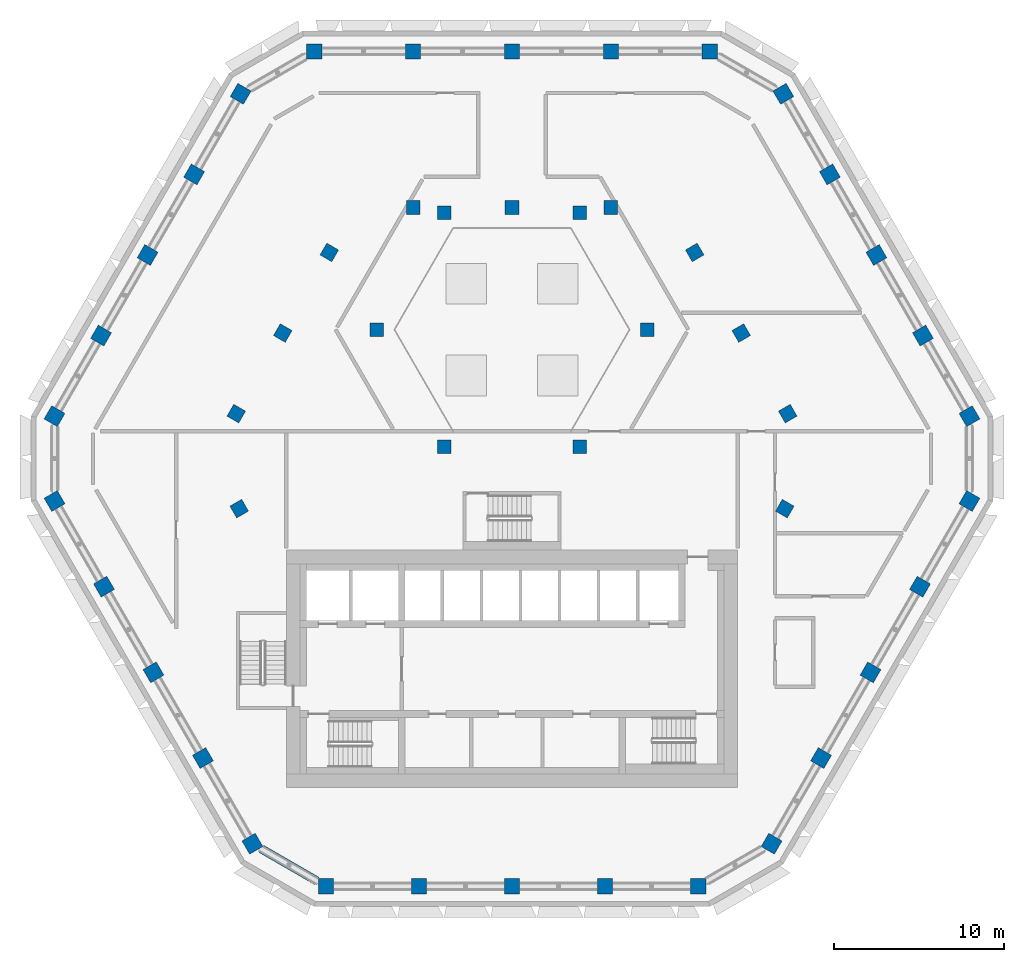
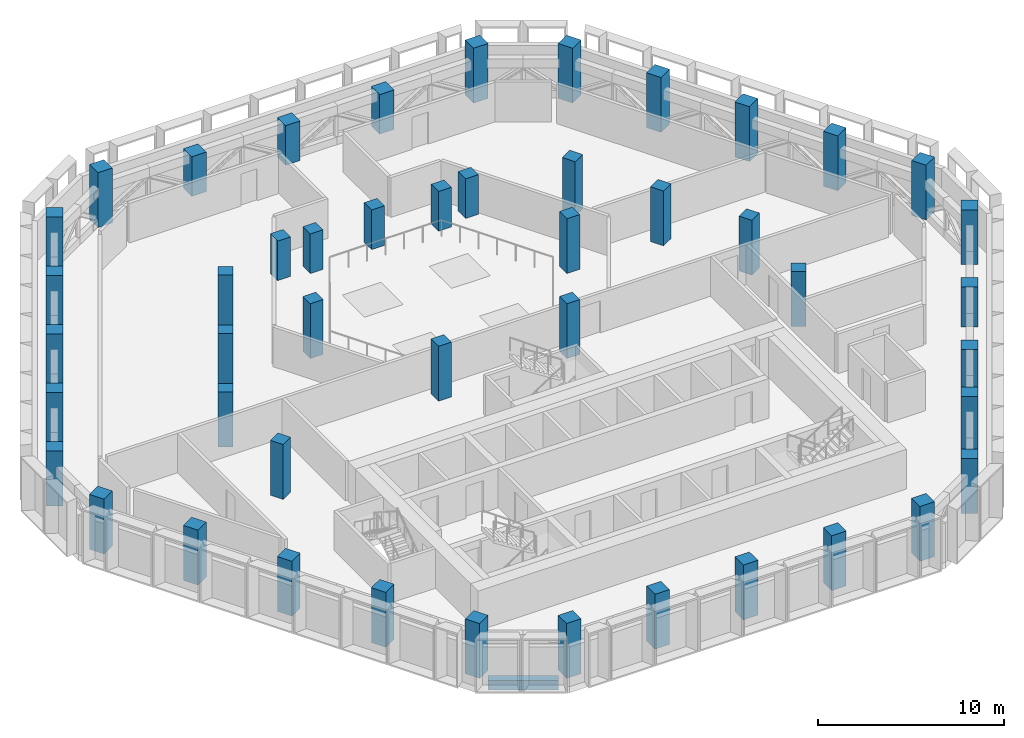
# One storey, part 1 of 22: 47 columns, 1 beam.
"""IFC4 building model written with IfcOpenShell, lengths in metres."""

from ifc_helpers import new_model, si_unit, direction, frame, origin, origin_2d, place, context, subcontext, project, spatial, rectangle, extrude, material, material_profile, profile_set, type_object, element, save


model = new_model("IFC4")

# Units and contexts
model_context = context("Model", 3, precision=1e-05, world=origin(), true_north=direction((0.0, 1.0)))
body_context = subcontext(model_context, "Body", "Model", "MODEL_VIEW")
ifc_project = project(units=[si_unit("LENGTHUNIT", "METRE"), si_unit("AREAUNIT", "SQUARE_METRE"), si_unit("VOLUMEUNIT", "CUBIC_METRE"), si_unit("PLANEANGLEUNIT", "RADIAN"), si_unit("MASSUNIT", "GRAM", prefix="KILO")], contexts=[model_context])

# Site, building, storey
site_placement = place(None, origin())
site = spatial("IfcSite", under=ifc_project, at=site_placement, CompositionType="ELEMENT")
building_placement = place(site_placement, origin())
building = spatial("IfcBuilding", under=site, at=building_placement, Name="Beryl Residences", CompositionType="ELEMENT")
storey_placement = place(building_placement, frame((0.0, 0.0, 153.60009765625)))
storey = spatial("IfcBuildingStorey", under=building, at=storey_placement, Name="L47", CompositionType="ELEMENT", Elevation=153.60009765625)

# Columns
ifc_material_1 = material(Name="Concrete C60/75", Category="concrete")
ifc_material_profile_1 = material_profile(ifc_material_1, rectangle(XDim=0.89990234375, YDim=0.89990234375, at=origin_2d()))
ifc_profile_set_1 = profile_set([ifc_material_profile_1], Name="Concrete C60/75")
column_type_1 = type_object("IfcColumnType", Name="C3 tube column 900 x 900 C60/75", PredefinedType="COLUMN", material=ifc_profile_set_1)
column_placement = place(storey_placement, frame((11.662109375, 24.39990234375, 0.0), z_axis=(0.0, 0.0, 1.0), x_axis=(-1.0, 0.0, 0.0)))
element("IfcColumn", 1, at=column_placement, inside=storey, type_object=column_type_1, Name="C3-N1 L47", PredefinedType="COLUMN", context=body_context, shape_type="SweptSolid", body=[
    extrude(rectangle(XDim=0.89990234375, YDim=0.89990234375, at=origin_2d()), origin(), (0.0, 0.0, 1.0), 3.599853515625),
])
for number, where, z_axis, x_axis, name in (
    (2, (5.8310546875, 24.39990234375, 0.0), (0.0, 0.0, 1.0), (-1.0, 0.0, 0.0), "C3-N2 L47"),
    (3, (0.0, 24.39990234375, 0.0), (0.0, 0.0, 1.0), (-1.0, 0.0, 0.0), "C3-N3 L47"),
    (4, (-5.8310546875, 24.39990234375, 0.0), (0.0, 0.0, 1.0), (-1.0, 0.0, 0.0), "C3-N4 L47"),
):
    element("IfcColumn", number, at=place(storey_placement, frame(where, z_axis=z_axis, x_axis=x_axis)), inside=storey, type_object=column_type_1, Name=name, PredefinedType="COLUMN", context=body_context, shape_type="SweptSolid", body=[
        extrude(rectangle(XDim=0.89990234375, YDim=0.89990234375, at=origin_2d()), origin(), (0.0, 0.0, 1.0), 2.599853515625),
    ])
for number, where, z_axis, x_axis, name in (
    (5, (-11.662109375, 24.39990234375, 0.0), (0.0, 0.0, 1.0), (-1.0, 0.0, 0.0), "C3-N5 L47"),
    (6, (-15.992919921875, 21.89990234375, 0.0), (0.0, 0.0, 1.0), (-0.5, -0.866025403784, 0.0), "C3-NW1 L47"),
    (7, (-18.735107421875, 17.14990234375, 0.0), (0.0, 0.0, 1.0), (-0.5, -0.866025403784, 0.0), "C3-NW2 L47"),
    (8, (-21.47802734375, 12.39990234375, 0.0), (0.0, 0.0, 1.0), (-0.5, -0.866025403784, 0.0), "C3-NW3 L47"),
    (9, (-24.219970703125, 7.64990234375, 0.0), (0.0, 0.0, 1.0), (-0.5, -0.866025403784, 0.0), "C3-NW4 L47"),
    (10, (-26.962890625, 2.89990234375, 0.0), (0.0, 0.0, 1.0), (-0.5, -0.866025403784, 0.0), "C3-NW5 L47"),
    (11, (-26.9619140625, -2.10009765625, 0.0), (0.0, 0.0, 1.0), (0.5, -0.866025403784, 0.0), "C3-SW1 L47"),
    (12, (-24.047119140625, -7.14892578125, 0.0), (0.0, 0.0, 1.0), (0.5, -0.866025403784, 0.0), "C3-SW2 L47"),
    (13, (-21.131103515625, -12.198974609375, 0.0), (0.0, 0.0, 1.0), (0.5, -0.866025403784, 0.0), "C3-SW3 L47"),
    (14, (-18.216064453125, -17.2490234375, 0.0), (0.0, 0.0, 1.0), (0.5, -0.866025403784, 0.0), "C3-SW4 L47"),
    (15, (-15.300048828125, -22.299072265625, 0.0), (0.0, 0.0, 1.0), (0.5, -0.866025403784, 0.0), "C3-SW5 L47"),
    (16, (-10.968994140625, -24.800048828125, 0.0), (0.0, 0.0, 1.0), (1.0, 0.0, 0.0), "C3-S1 L47"),
    (17, (-5.48388671875, -24.800048828125, 0.0), (0.0, 0.0, 1.0), (1.0, 0.0, 0.0), "C3-S2 L47"),
    (18, (0.0009765625, -24.800048828125, 0.0), (0.0, 0.0, 1.0), (1.0, 0.0, 0.0), "C3-S3 L47"),
    (19, (5.486083984375, -24.800048828125, 0.0), (0.0, 0.0, 1.0), (1.0, 0.0, 0.0), "C3-S4 L47"),
    (20, (10.970947265625, -24.800048828125, 0.0), (0.0, 0.0, 1.0), (1.0, 0.0, 0.0), "C3-S5 L47"),
    (21, (15.299072265625, -22.300048828125, 0.0), (0.0, 0.0, 1.0), (0.5, 0.866025403784, 0.0), "C3-SE1 L47"),
    (22, (18.215087890625, -17.2509765625, 0.0), (0.0, 0.0, 1.0), (0.5, 0.866025403784, 0.0), "C3-SE2 L47"),
):
    element("IfcColumn", number, at=place(storey_placement, frame(where, z_axis=z_axis, x_axis=x_axis)), inside=storey, type_object=column_type_1, Name=name, PredefinedType="COLUMN", context=body_context, shape_type="SweptSolid", body=[
        extrude(rectangle(XDim=0.89990234375, YDim=0.89990234375, at=origin_2d()), origin(), (0.0, 0.0, 1.0), 3.599853515625),
    ])
for number, where, z_axis, x_axis, name in (
    (23, (21.1298828125, -12.200927734375, 0.0), (0.0, 0.0, 1.0), (0.5, 0.866025403784, 0.0), "C3-SE3 L47"),
    (24, (24.0458984375, -7.15087890625, 0.0), (0.0, 0.0, 1.0), (0.5, 0.866025403784, 0.0), "C3-SE4 L47"),
):
    element("IfcColumn", number, at=place(storey_placement, frame(where, z_axis=z_axis, x_axis=x_axis)), inside=storey, type_object=column_type_1, Name=name, PredefinedType="COLUMN", context=body_context, shape_type="SweptSolid", body=[
        extrude(rectangle(XDim=0.89990234375, YDim=0.89990234375, at=origin_2d()), origin(), (0.0, 0.0, 1.0), 2.599853515625),
    ])
for number, where, z_axis, x_axis, name in (
    (25, (26.9609375, -2.10107421875, 0.0), (0.0, 0.0, 1.0), (0.5, 0.866025403784, 0.0), "C3-SE5 L47"),
    (26, (26.962890625, 2.89990234375, 0.0), (0.0, 0.0, 1.0), (-0.5, 0.866025403784, 0.0), "C3-NE1 L47"),
    (27, (24.219970703125, 7.64990234375, 0.0), (0.0, 0.0, 1.0), (-0.5, 0.866025403784, 0.0), "C3-NE2 L47"),
    (28, (21.47802734375, 12.39990234375, 0.0), (0.0, 0.0, 1.0), (-0.5, 0.866025403784, 0.0), "C3-NE3 L47"),
    (29, (18.735107421875, 17.14990234375, 0.0), (0.0, 0.0, 1.0), (-0.5, 0.866025403784, 0.0), "C3-NE4 L47"),
    (30, (15.992919921875, 21.89990234375, 0.0), (0.0, 0.0, 1.0), (-0.5, 0.866025403784, 0.0), "C3-NE5 L47"),
):
    element("IfcColumn", number, at=place(storey_placement, frame(where, z_axis=z_axis, x_axis=x_axis)), inside=storey, type_object=column_type_1, Name=name, PredefinedType="COLUMN", context=body_context, shape_type="SweptSolid", body=[
        extrude(rectangle(XDim=0.89990234375, YDim=0.89990234375, at=origin_2d()), origin(), (0.0, 0.0, 1.0), 3.599853515625),
    ])
ifc_material_2 = material(Name="Concrete C60/75", Category="concrete")
ifc_material_profile_2 = material_profile(ifc_material_2, rectangle(XDim=0.800048828125, YDim=0.800048828125, at=origin_2d()))
ifc_profile_set_2 = profile_set([ifc_material_profile_2], Name="Concrete C60/75")
column_type_2 = type_object("IfcColumnType", Name="IC3 interior column 800 x 800 C60/75", PredefinedType="COLUMN", material=ifc_profile_set_2)
for number, where, z_axis, x_axis, name in (
    (31, (-16.0791015625, -2.549072265625, 0.0), (0.0, 0.0, 1.0), (0.5, -0.866025403784, 0.0), "IC3-M01 L47"),
    (32, (16.077880859375, -2.551025390625, 0.0), (0.0, 0.0, 1.0), (0.5, 0.866025403784, 0.0), "IC3-M02 L47"),
    (33, (16.2529296875, 3.050048828125, 0.0), (0.0, 0.0, 1.0), (-0.5, 0.866025403784, 0.0), "IC3-M03 L47"),
    (34, (3.98388671875, 1.10009765625, 0.0), (0.0, 0.0, 1.0), (1.0, 0.0, 0.0), "IC3-A04 L47"),
    (35, (13.510009765625, 7.800048828125, 0.0), (0.0, 0.0, 1.0), (-0.5, 0.866025403784, 0.0), "IC3-M05 L47"),
    (36, (7.967041015625, 8.0, 0.0), (0.0, 0.0, 1.0), (1.0, 0.0, 0.0), "IC3-A06 L47"),
    (37, (10.76806640625, 12.550048828125, 0.0), (0.0, 0.0, 1.0), (-0.5, 0.866025403784, 0.0), "IC3-M07 L47"),
):
    element("IfcColumn", number, at=place(storey_placement, frame(where, z_axis=z_axis, x_axis=x_axis)), inside=storey, type_object=column_type_2, Name=name, PredefinedType="COLUMN", context=body_context, shape_type="SweptSolid", body=[
        extrude(rectangle(XDim=0.800048828125, YDim=0.800048828125, at=origin_2d()), origin(), (0.0, 0.0, 1.0), 3.599853515625),
    ])
for number, where, z_axis, x_axis, name in (
    (38, (5.8310546875, 15.199951171875, 0.0), (0.0, 0.0, 1.0), (-1.0, 0.0, 0.0), "IC3-M08 L47"),
    (39, (3.98388671875, 14.89990234375, 0.0), (0.0, 0.0, 1.0), (1.0, 0.0, 0.0), "IC3-A09 L47"),
    (40, (0.0, 15.199951171875, 0.0), (0.0, 0.0, 1.0), (-1.0, 0.0, 0.0), "IC3-M10 L47"),
    (41, (-3.98388671875, 14.89990234375, 0.0), (0.0, 0.0, 1.0), (1.0, 0.0, 0.0), "IC3-A11 L47"),
    (42, (-5.8310546875, 15.199951171875, 0.0), (0.0, 0.0, 1.0), (-1.0, 0.0, 0.0), "IC3-M12 L47"),
):
    element("IfcColumn", number, at=place(storey_placement, frame(where, z_axis=z_axis, x_axis=x_axis)), inside=storey, type_object=column_type_2, Name=name, PredefinedType="COLUMN", context=body_context, shape_type="SweptSolid", body=[
        extrude(rectangle(XDim=0.800048828125, YDim=0.800048828125, at=origin_2d()), origin(), (0.0, 0.0, 1.0), 2.599853515625),
    ])
for number, where, z_axis, x_axis, name in (
    (43, (-10.76806640625, 12.550048828125, 0.0), (0.0, 0.0, 1.0), (-0.5, -0.866025403784, 0.0), "IC3-M13 L47"),
    (44, (-7.967041015625, 8.0, 0.0), (0.0, 0.0, 1.0), (1.0, 0.0, 0.0), "IC3-A14 L47"),
    (45, (-13.510009765625, 7.800048828125, 0.0), (0.0, 0.0, 1.0), (-0.5, -0.866025403784, 0.0), "IC3-M15 L47"),
    (46, (-3.98388671875, 1.10009765625, 0.0), (0.0, 0.0, 1.0), (1.0, 0.0, 0.0), "IC3-A16 L47"),
    (47, (-16.2529296875, 3.050048828125, 0.0), (0.0, 0.0, 1.0), (-0.5, -0.866025403784, 0.0), "IC3-M17 L47"),
):
    element("IfcColumn", number, at=place(storey_placement, frame(where, z_axis=z_axis, x_axis=x_axis)), inside=storey, type_object=column_type_2, Name=name, PredefinedType="COLUMN", context=body_context, shape_type="SweptSolid", body=[
        extrude(rectangle(XDim=0.800048828125, YDim=0.800048828125, at=origin_2d()), origin(), (0.0, 0.0, 1.0), 3.599853515625),
    ])

# Beam
ifc_material_3 = material(Name="Concrete C60/75", Category="concrete")
ifc_material_profile_3 = material_profile(ifc_material_3, rectangle(XDim=0.5, YDim=0.60009765625, at=origin_2d()))
ifc_profile_set_3 = profile_set([ifc_material_profile_3], Name="Concrete C60/75")
beam_type = type_object("IfcBeamType", Name="SB3 spandrel beam 500 x 600 C60/75", PredefinedType="SPANDREL", material=ifc_profile_set_3)
beam_placement = place(storey_placement, frame((-14.76806640625, -22.60595703125, -0.7001953125), z_axis=(0.865944170592, -0.500140673629, 0.0), x_axis=(0.500140673629, 0.865944170592, 0.0)))
element("IfcBeam", 48, at=beam_placement, inside=storey, type_object=beam_type, Name="SB3 L47 SW-4", PredefinedType="SPANDREL", context=body_context, shape_type="SweptSolid", body=[
    extrude(rectangle(XDim=0.5, YDim=0.60009765625, at=origin_2d()), origin(), (0.0, 0.0, 1.0), 3.77294921875),
])

save(model, "model.ifc")
